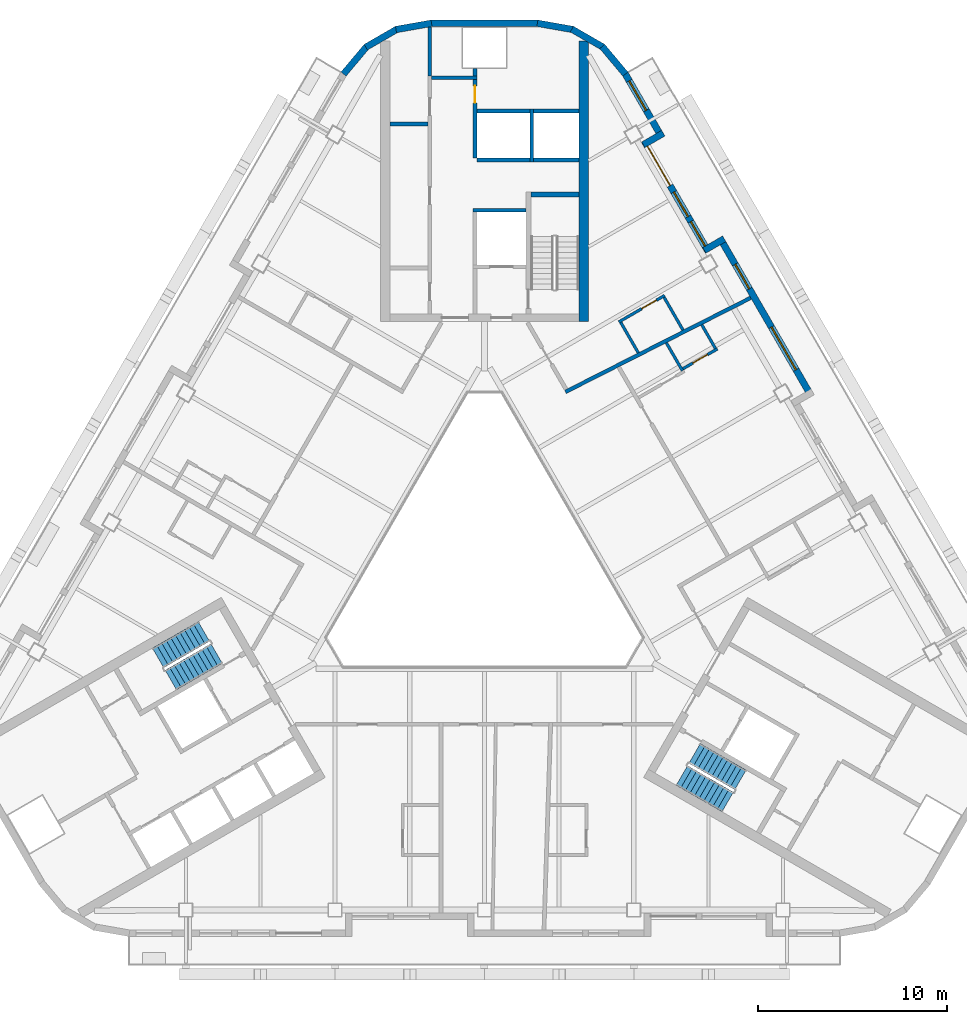
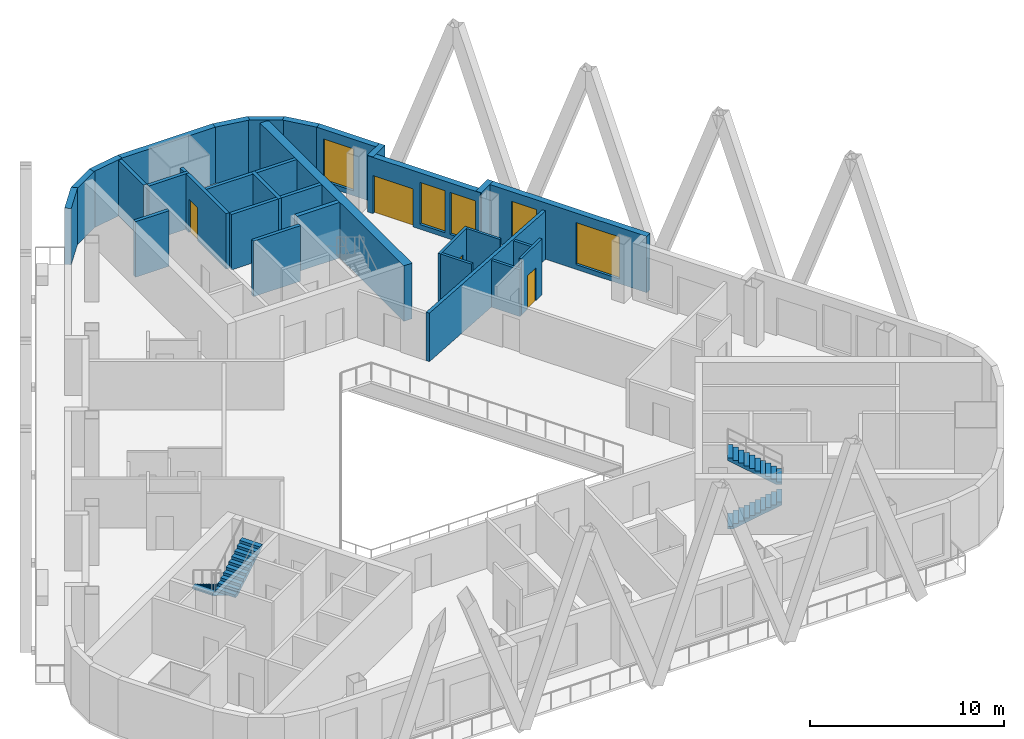
# One storey, part 7 of 14: 32 walls, 5 windows, 4 doors, 4 stair flights, 9 openings, 2 elements without a shape of their own.
"""IFC4 building model written with IfcOpenShell, lengths in metres."""

from ifc_helpers import new_model, si_unit, direction, frame, frame_2d, origin, place, context, subcontext, project, spatial, polyline, rectangle, outline, extrude, material, layer, layer_set, type_object, element, fill, aggregate, save


model = new_model("IFC4")

# Units and contexts
model_context = context("Model", 3, precision=1e-05, world=origin(), true_north=direction((0.0, 1.0)))
body_context = subcontext(model_context, "Body", "Model", "MODEL_VIEW")
ifc_project = project(units=[si_unit("LENGTHUNIT", "METRE"), si_unit("AREAUNIT", "SQUARE_METRE"), si_unit("VOLUMEUNIT", "CUBIC_METRE"), si_unit("PLANEANGLEUNIT", "RADIAN"), si_unit("MASSUNIT", "GRAM", prefix="KILO")], contexts=[model_context])

# Site, building, storey
site_placement = place(None, origin())
site = spatial("IfcSite", under=ifc_project, at=site_placement, CompositionType="ELEMENT")
building_placement = place(site_placement, origin())
building = spatial("IfcBuilding", under=site, at=building_placement, Name="Apuvela Tower Hotel", CompositionType="ELEMENT")
storey_placement = place(building_placement, frame((0.0, 0.0, 213.199951171875)))
storey = spatial("IfcBuildingStorey", under=building, at=storey_placement, Name="L52", CompositionType="ELEMENT", Elevation=213.199951171875)

# Walls
ifc_material_1 = material(Name="Concrete C50/60", Category="concrete")
ifc_layer_1 = layer(ifc_material_1, 0.5)
ifc_layer_set_1 = layer_set([ifc_layer_1], Name="COR-WALL-CORE-500")
wall_type_1 = type_object("IfcWallType", Name="COR-WALL-CORE-500", PredefinedType="SHEAR", material=ifc_layer_set_1)
wall_1_placement = place(storey_placement, frame((5.25, 12.89990234375, 0.0), z_axis=(0.0, 0.0, 1.0), x_axis=(0.0, 1.0, 0.0)))
element("IfcWall", 1, at=wall_1_placement, inside=storey, type_object=wall_type_1, Name="Core wall N", PredefinedType="SHEAR", context=body_context, shape_type="SweptSolid", body=[
    extrude(rectangle(XDim=14.8369140625, YDim=0.5, at=frame_2d((7.41845703125, 0.0))), origin(), (0.0, 0.0, 1.0), 3.5),
])
ifc_material_2 = material(Name="Blockwork 200 mm plastered", Category="masonry")
ifc_layer_2 = layer(ifc_material_2, 0.199951171875)
ifc_layer_set_2 = layer_set([ifc_layer_2], Name="COR-WALL-PART-200")
wall_type_2 = type_object("IfcWallType", Name="COR-WALL-PART-200", PredefinedType="PARTITIONING", material=ifc_layer_set_2)
wall_2_placement = place(storey_placement, frame((5.0, 21.449951171875, 0.0), z_axis=(0.0, 0.0, 1.0), x_axis=(-1.0, 0.0, 0.0)))
element("IfcWall", 2, at=wall_2_placement, inside=storey, type_object=wall_type_2, Name="Partition N", PredefinedType="PARTITIONING", context=body_context, shape_type="SweptSolid", body=[
    extrude(rectangle(XDim=2.39990234375, YDim=0.199951171875, at=frame_2d((1.199951171875, 0.0))), origin(), (0.0, 0.0, 1.0), 3.5),
])
wall_3_placement = place(storey_placement, frame((2.39990234375, 21.449951171875, 0.0), z_axis=(0.0, 0.0, 1.0), x_axis=(-1.0, 0.0, 0.0)))
element("IfcWall", 3, at=wall_3_placement, inside=storey, type_object=wall_type_2, Name="Partition N", PredefinedType="PARTITIONING", context=body_context, shape_type="SweptSolid", body=[
    extrude(rectangle(XDim=2.7998046875, YDim=0.199951171875, at=frame_2d((1.39990234375, 0.0))), origin(), (0.0, 0.0, 1.0), 3.5),
])
ifc_layer_3 = layer(ifc_material_1, 0.199951171875)
ifc_layer_set_3 = layer_set([ifc_layer_3], Name="COR-WALL-SHAFT-200")
wall_type_3 = type_object("IfcWallType", Name="COR-WALL-SHAFT-200", PredefinedType="SHEAR", material=ifc_layer_set_3)
wall_4_placement = place(storey_placement, frame((2.199951171875, 18.800048828125, 0.0), z_axis=(0.0, 0.0, 1.0), x_axis=(-1.0, 0.0, 0.0)))
element("IfcWall", 4, at=wall_4_placement, inside=storey, type_object=wall_type_3, Name="Shaft wall N", PredefinedType="SHEAR", context=body_context, shape_type="SweptSolid", body=[
    extrude(rectangle(XDim=2.800048828125, YDim=0.199951171875, at=frame_2d((1.39990234375, 0.0))), origin(), (0.0, 0.0, 1.0), 3.5),
])
wall_5_placement = place(storey_placement, frame((-0.39990234375, 25.800048828125, 0.0), z_axis=(0.0, 0.0, 1.0), x_axis=(-1.0, 0.0, 0.0)))
element("IfcWall", 5, at=wall_5_placement, inside=storey, type_object=wall_type_3, Name="Shaft wall N", PredefinedType="SHEAR", context=body_context, shape_type="SweptSolid", body=[
    extrude(rectangle(XDim=2.400146484375, YDim=0.199951171875, at=frame_2d((1.2001953125, 0.0))), origin(), (0.0, 0.0, 1.0), 3.5),
])

# Wall, opening, door
wall_6_placement = place(storey_placement, frame((-0.5, 21.550048828125, 0.0), z_axis=(0.0, 0.0, 1.0), x_axis=(0.0, 1.0, 0.0)))
wall_6 = element("IfcWall", 6, at=wall_6_placement, inside=storey, type_object=wall_type_3, Name="Shaft wall N", PredefinedType="SHEAR", context=body_context, shape_type="SweptSolid", body=[
    extrude(rectangle(XDim=4.14990234375, YDim=0.199951171875, at=frame_2d((2.074951171875, 0.0))), origin(), (0.0, 0.0, 1.0), 3.5),
])
opening_1_placement = place(wall_6_placement, frame((2.925048828125, 0.0, 0.0)))
opening_1 = element("IfcOpeningElement", 7, at=opening_1_placement, cuts=wall_6, Name="Opening N-RSP", PredefinedType="OPENING", context=body_context, shape_type="SweptSolid", body=[
    extrude(rectangle(XDim=0.89990234375, YDim=2.10009765625, at=frame_2d((0.449951171875, 1.050048828125))), frame((0.0, 0.10986328125, 0.0), z_axis=(0.0, -1.0, 0.0), x_axis=(1.0, 0.0, 0.0)), (0.0, 0.0, 1.0), 0.219970703125),
])
ifc_material_3 = material(Name="Steel fire door, powder coated", Category="steel")
door_type_1 = type_object("IfcDoorType", Name="COR-DR-900", OperationType="NOTDEFINED", PredefinedType="DOOR", material=ifc_material_3)
door_1_placement = place(opening_1_placement, frame((0.89990234375, 0.0, 0.0), z_axis=(0.0, 0.0, 1.0), x_axis=(-1.0, 0.0, 0.0)))
door_1 = element("IfcDoor", 8, at=door_1_placement, inside=storey, type_object=door_type_1, Name="Store door N-RSP", OperationType="SINGLE_SWING_LEFT", OverallHeight=2.10009765625, OverallWidth=0.89990234375, PredefinedType="DOOR", context=body_context, shape_type="SweptSolid", body=[
    extrude(rectangle(XDim=0.89990234375, YDim=2.10009765625, at=frame_2d((0.449951171875, 1.050048828125))), frame((0.0, 0.02490234375, 0.0), z_axis=(0.0, -1.0, 0.0), x_axis=(1.0, 0.0, 0.0)), (0.0, 0.0, 1.0), 0.050048828125),
])
fill(opening_1, door_1)

# Walls
wall_7_placement = place(storey_placement, frame((-3.0, 23.360107421875, 0.0), z_axis=(0.0, 0.0, 1.0), x_axis=(-1.0, 0.0, 0.0)))
element("IfcWall", 9, at=wall_7_placement, inside=storey, type_object=wall_type_3, Name="Shaft wall N", PredefinedType="SHEAR", context=body_context, shape_type="SweptSolid", body=[
    extrude(rectangle(XDim=2.0, YDim=0.199951171875, at=frame_2d((1.0, 0.0))), origin(), (0.0, 0.0, 1.0), 3.5),
])
wall_8_placement = place(storey_placement, frame((-0.5, 25.89990234375, 0.0), z_axis=(0.0, 0.0, 1.0), x_axis=(0.0, 1.0, 0.0)))
element("IfcWall", 10, at=wall_8_placement, inside=storey, type_object=wall_type_3, Name="Shaft wall N", PredefinedType="SHEAR", context=body_context, shape_type="SweptSolid", body=[
    extrude(rectangle(XDim=0.400146484375, YDim=0.199951171875, at=frame_2d((0.2001953125, 0.0))), origin(), (0.0, 0.0, 1.0), 3.5),
])
wall_9_placement = place(storey_placement, frame((-2.89990234375, 25.89990234375, 0.0), z_axis=(0.0, 0.0, 1.0), x_axis=(0.0, 1.0, 0.0)))
element("IfcWall", 11, at=wall_9_placement, inside=storey, type_object=wall_type_3, Name="Shaft wall N", PredefinedType="SHEAR", context=body_context, shape_type="SweptSolid", body=[
    extrude(rectangle(XDim=2.60009765625, YDim=0.199951171875, at=frame_2d((1.300048828125, 0.0))), origin(), (0.0, 0.0, 1.0), 3.5),
])
wall_10_placement = place(storey_placement, frame((2.5, 21.35009765625, 0.0), z_axis=(0.0, 0.0, 1.0), x_axis=(0.0, 1.0, 0.0)))
element("IfcWall", 12, at=wall_10_placement, inside=storey, type_object=wall_type_3, Name="Shaft wall N", PredefinedType="SHEAR", context=body_context, shape_type="SweptSolid", body=[
    extrude(rectangle(XDim=2.7998046875, YDim=0.199951171875, at=frame_2d((1.39990234375, 0.0))), origin(), (0.0, 0.0, 1.0), 3.5),
])
wall_11_placement = place(storey_placement, frame((5.0, 24.050048828125, 0.0), z_axis=(0.0, 0.0, 1.0), x_axis=(-1.0, 0.0, 0.0)))
element("IfcWall", 13, at=wall_11_placement, inside=storey, type_object=wall_type_3, Name="Shaft wall N", PredefinedType="SHEAR", context=body_context, shape_type="SweptSolid", body=[
    extrude(rectangle(XDim=2.39990234375, YDim=0.199951171875, at=frame_2d((1.199951171875, 0.0))), origin(), (0.0, 0.0, 1.0), 3.5),
])
wall_12_placement = place(storey_placement, frame((2.39990234375, 24.050048828125, 0.0), z_axis=(0.0, 0.0, 1.0), x_axis=(-1.0, 0.0, 0.0)))
element("IfcWall", 14, at=wall_12_placement, inside=storey, type_object=wall_type_3, Name="Shaft wall N", PredefinedType="SHEAR", context=body_context, shape_type="SweptSolid", body=[
    extrude(rectangle(XDim=2.7998046875, YDim=0.199951171875, at=frame_2d((1.39990234375, 0.0))), origin(), (0.0, 0.0, 1.0), 3.5),
])
ifc_layer_4 = layer(ifc_material_1, 0.25)
ifc_layer_set_4 = layer_set([ifc_layer_4], Name="COR-WALL-STAIR-250")
wall_type_4 = type_object("IfcWallType", Name="COR-WALL-STAIR-250", PredefinedType="SHEAR", material=ifc_layer_set_4)
wall_13_placement = place(storey_placement, frame((5.0, 19.625, 0.0), z_axis=(0.0, 0.0, 1.0), x_axis=(-1.0, 0.0, 0.0)))
element("IfcWall", 15, at=wall_13_placement, inside=storey, type_object=wall_type_4, Name="Stair wall N", PredefinedType="SHEAR", context=body_context, shape_type="SweptSolid", body=[
    extrude(rectangle(XDim=2.550048828125, YDim=0.25, at=frame_2d((1.27490234375, 0.0))), origin(), (0.0, 0.0, 1.0), 3.5),
])

# Wall, openings, windows
ifc_material_4 = material(Name="Concrete C40/50, dark pigmented precast panel", Category="concrete")
ifc_layer_5 = layer(ifc_material_4, 0.35009765625)
ifc_layer_set_5 = layer_set([ifc_layer_5], Name="ENV-WALL-350")
wall_type_5 = type_object("IfcWallType", Name="ENV-WALL-350", PredefinedType="SOLIDWALL", material=ifc_layer_set_5)
wall_14_placement = place(storey_placement, frame((17.298583984375, 8.947998046875, 0.0), z_axis=(0.0, 0.0, 1.0), x_axis=(-0.500010041276, 0.866019606374, 0.0)))
wall_14 = element("IfcWall", 16, at=wall_14_placement, inside=storey, type_object=wall_type_5, Name="External wall L52-37", PredefinedType="SOLIDWALL", context=body_context, shape_type="SweptSolid", body=[
    extrude(rectangle(XDim=9.699951171875, YDim=0.35009765625, at=frame_2d((4.85009765625, 0.0))), origin(), (0.0, 0.0, 1.0), 3.550048828125),
])
opening_2_placement = place(wall_14_placement, frame((1.625, 0.0, 0.300048828125)))
opening_2 = element("IfcOpeningElement", 17, at=opening_2_placement, cuts=wall_14, Name="Opening WN26", PredefinedType="OPENING", context=body_context, shape_type="SweptSolid", body=[
    extrude(rectangle(XDim=2.60009765625, YDim=2.64990234375, at=frame_2d((1.300048828125, 1.324951171875))), frame((0.0, 0.18505859375, 0.0), z_axis=(0.0, -1.0, 0.0), x_axis=(1.0, 0.0, 0.0)), (0.0, 0.0, 1.0), 0.3701171875),
])
opening_3_placement = place(wall_14_placement, frame((6.56982421875, 0.0, 0.300048828125)))
opening_3 = element("IfcOpeningElement", 18, at=opening_3_placement, cuts=wall_14, Name="Opening WN15", PredefinedType="OPENING", context=body_context, shape_type="SweptSolid", body=[
    extrude(rectangle(XDim=1.5, YDim=2.64990234375, at=frame_2d((0.75, 1.324951171875))), frame((0.0, 0.18505859375, 0.0), z_axis=(0.0, -1.0, 0.0), x_axis=(1.0, 0.0, 0.0)), (0.0, 0.0, 1.0), 0.3701171875),
])
ifc_material_5 = material(Name="Glass, dark tinted laminated insulated glazing unit", Category="glass")
window_type_1 = type_object("IfcWindowType", Name="ENV-WIN-1500x2650", PartitioningType="SINGLE_PANEL", PredefinedType="WINDOW", material=ifc_material_5)
window_1_placement = place(opening_3_placement, origin())
window_1 = element("IfcWindow", 19, at=window_1_placement, inside=storey, type_object=window_type_1, Name="Window WN15", OverallHeight=2.64990234375, OverallWidth=1.5, PartitioningType="SINGLE_PANEL", PredefinedType="WINDOW", context=body_context, shape_type="SweptSolid", body=[
    extrude(rectangle(XDim=1.5, YDim=2.64990234375, at=frame_2d((0.75, 1.324951171875))), frame((0.0, 0.030029296875, 0.0), z_axis=(0.0, -1.0, 0.0), x_axis=(1.0, 0.0, 0.0)), (0.0, 0.0, 1.0), 0.06005859375),
])
fill(opening_3, window_1)
window_type_2 = type_object("IfcWindowType", Name="ENV-WIN-2600x2650", PartitioningType="SINGLE_PANEL", PredefinedType="WINDOW", material=ifc_material_5)
window_2_placement = place(opening_2_placement, origin())
window_2 = element("IfcWindow", 20, at=window_2_placement, inside=storey, type_object=window_type_2, Name="Window WN26", OverallHeight=2.64990234375, OverallWidth=2.60009765625, PartitioningType="SINGLE_PANEL", PredefinedType="WINDOW", context=body_context, shape_type="SweptSolid", body=[
    extrude(rectangle(XDim=2.60009765625, YDim=2.64990234375, at=frame_2d((1.300048828125, 1.324951171875))), frame((0.0, 0.030029296875, 0.0), z_axis=(0.0, -1.0, 0.0), x_axis=(1.0, 0.0, 0.0)), (0.0, 0.0, 1.0), 0.06005859375),
])
fill(opening_2, window_2)

# Wall
wall_15_placement = place(storey_placement, frame((12.6875, 17.284423828125, 0.0), z_axis=(0.0, 0.0, 1.0), x_axis=(-0.865955602162, -0.500120880472, 0.0)))
element("IfcWall", 21, at=wall_15_placement, inside=storey, type_object=wall_type_5, Name="External wall L52-38", PredefinedType="SOLIDWALL", context=body_context, shape_type="SweptSolid", body=[
    extrude(rectangle(XDim=1.219970703125, YDim=0.35009765625, at=frame_2d((0.60986328125, 0.0))), origin(), (0.0, 0.0, 1.0), 3.550048828125),
])

# Wall, openings, door, windows
wall_16_placement = place(storey_placement, frame((11.8291015625, 16.621337890625, 0.0), z_axis=(0.0, 0.0, 1.0), x_axis=(-0.500003597184, 0.866023326939, 0.0)))
wall_16 = element("IfcWall", 22, at=wall_16_placement, inside=storey, type_object=wall_type_5, Name="External wall L52-39", PredefinedType="SOLIDWALL", context=body_context, shape_type="SweptSolid", body=[
    extrude(rectangle(XDim=6.740234375, YDim=0.35009765625, at=frame_2d((3.3701171875, 0.0))), origin(), (0.0, 0.0, 1.0), 3.550048828125),
])
opening_4_placement = place(wall_16_placement, frame((4.01953125, 0.0, 0.0)))
opening_4 = element("IfcOpeningElement", 23, at=opening_4_placement, cuts=wall_16, Name="Opening BD24", PredefinedType="OPENING", context=body_context, shape_type="SweptSolid", body=[
    extrude(rectangle(XDim=2.39990234375, YDim=2.39990234375, at=frame_2d((1.199951171875, 1.199951171875))), frame((0.0, 0.18505859375, 0.0), z_axis=(0.0, -1.0, 0.0), x_axis=(1.0, 0.0, 0.0)), (0.0, 0.0, 1.0), 0.3701171875),
])
opening_5_placement = place(wall_16_placement, frame((0.320068359375, 0.0, 0.300048828125)))
opening_5 = element("IfcOpeningElement", 24, at=opening_5_placement, cuts=wall_16, Name="Opening WN15", PredefinedType="OPENING", context=body_context, shape_type="SweptSolid", body=[
    extrude(rectangle(XDim=1.5, YDim=2.64990234375, at=frame_2d((0.75, 1.324951171875))), frame((0.0, 0.18505859375, 0.0), z_axis=(0.0, -1.0, 0.0), x_axis=(1.0, 0.0, 0.0)), (0.0, 0.0, 1.0), 0.3701171875),
])
opening_6_placement = place(wall_16_placement, frame((2.1201171875, 0.0, 0.300048828125)))
opening_6 = element("IfcOpeningElement", 25, at=opening_6_placement, cuts=wall_16, Name="Opening WN15", PredefinedType="OPENING", context=body_context, shape_type="SweptSolid", body=[
    extrude(rectangle(XDim=1.5, YDim=2.64990234375, at=frame_2d((0.75, 1.324951171875))), frame((0.0, 0.18505859375, 0.0), z_axis=(0.0, -1.0, 0.0), x_axis=(1.0, 0.0, 0.0)), (0.0, 0.0, 1.0), 0.3701171875),
])
ifc_material_6 = material(Name="Aluminium 6063-T6, dark bronze anodised frame with dark tinted laminated glass", Category="aluminium")
door_type_2 = type_object("IfcDoorType", Name="ENV-DOOR-BALCONY-2400x2400", OperationType="SLIDING_TO_LEFT", PredefinedType="DOOR", material=ifc_material_6)
door_2_placement = place(opening_4_placement, frame((2.39990234375, 0.0, 0.0), z_axis=(0.0, 0.0, 1.0), x_axis=(-1.0, 0.0, 0.0)))
door_2 = element("IfcDoor", 26, at=door_2_placement, inside=storey, type_object=door_type_2, Name="Balcony door BD24", OperationType="SLIDING_TO_LEFT", OverallHeight=2.39990234375, OverallWidth=2.39990234375, PredefinedType="DOOR", context=body_context, shape_type="SweptSolid", body=[
    extrude(rectangle(XDim=2.39990234375, YDim=2.39990234375, at=frame_2d((1.199951171875, 1.199951171875))), frame((0.0, 0.02490234375, 0.0), z_axis=(0.0, -1.0, 0.0), x_axis=(1.0, 0.0, 0.0)), (0.0, 0.0, 1.0), 0.050048828125),
])
fill(opening_4, door_2)
window_3_placement = place(opening_5_placement, origin())
window_3 = element("IfcWindow", 27, at=window_3_placement, inside=storey, type_object=window_type_1, Name="Window WN15", OverallHeight=2.64990234375, OverallWidth=1.5, PartitioningType="SINGLE_PANEL", PredefinedType="WINDOW", context=body_context, shape_type="SweptSolid", body=[
    extrude(rectangle(XDim=1.5, YDim=2.64990234375, at=frame_2d((0.75, 1.324951171875))), frame((0.0, 0.030029296875, 0.0), z_axis=(0.0, -1.0, 0.0), x_axis=(1.0, 0.0, 0.0)), (0.0, 0.0, 1.0), 0.06005859375),
])
fill(opening_5, window_3)
window_4_placement = place(opening_6_placement, origin())
window_4 = element("IfcWindow", 28, at=window_4_placement, inside=storey, type_object=window_type_1, Name="Window WN15", OverallHeight=2.64990234375, OverallWidth=1.5, PartitioningType="SINGLE_PANEL", PredefinedType="WINDOW", context=body_context, shape_type="SweptSolid", body=[
    extrude(rectangle(XDim=1.5, YDim=2.64990234375, at=frame_2d((0.75, 1.324951171875))), frame((0.0, 0.030029296875, 0.0), z_axis=(0.0, -1.0, 0.0), x_axis=(1.0, 0.0, 0.0)), (0.0, 0.0, 1.0), 0.06005859375),
])
fill(opening_6, window_4)

# Wall
wall_17_placement = place(storey_placement, frame((8.406005859375, 22.26025390625, 0.0), z_axis=(0.0, 0.0, 1.0), x_axis=(0.865955602162, 0.500120880472, 0.0)))
element("IfcWall", 29, at=wall_17_placement, inside=storey, type_object=wall_type_5, Name="External wall L52-40", PredefinedType="SOLIDWALL", context=body_context, shape_type="SweptSolid", body=[
    extrude(rectangle(XDim=1.219970703125, YDim=0.35009765625, at=frame_2d((0.60986328125, 0.0))), origin(), (0.0, 0.0, 1.0), 3.550048828125),
])

# Wall, opening, window
wall_18_placement = place(storey_placement, frame((9.3984375, 22.631103515625, 0.0), z_axis=(0.0, 0.0, 1.0), x_axis=(-0.499954521343, 0.866051659307, 0.0)))
wall_18 = element("IfcWall", 30, at=wall_18_placement, inside=storey, type_object=wall_type_5, Name="External wall L52-41", PredefinedType="SOLIDWALL", context=body_context, shape_type="SweptSolid", body=[
    extrude(rectangle(XDim=3.915771484375, YDim=0.35009765625, at=frame_2d((1.9580078125, 0.0))), origin(), (0.0, 0.0, 1.0), 3.550048828125),
])
opening_7_placement = place(wall_18_placement, frame((1.67626953125, 0.0, 0.300048828125)))
opening_7 = element("IfcOpeningElement", 31, at=opening_7_placement, cuts=wall_18, Name="Opening WN18", PredefinedType="OPENING", context=body_context, shape_type="SweptSolid", body=[
    extrude(rectangle(XDim=1.800048828125, YDim=2.64990234375, at=frame_2d((0.89990234375, 1.324951171875))), frame((0.0, 0.18505859375, 0.0), z_axis=(0.0, -1.0, 0.0), x_axis=(1.0, 0.0, 0.0)), (0.0, 0.0, 1.0), 0.3701171875),
])
window_type_3 = type_object("IfcWindowType", Name="ENV-WIN-1800x2650", PartitioningType="SINGLE_PANEL", PredefinedType="WINDOW", material=ifc_material_5)
window_5_placement = place(opening_7_placement, origin())
window_5 = element("IfcWindow", 32, at=window_5_placement, inside=storey, type_object=window_type_3, Name="Window WN18", OverallHeight=2.64990234375, OverallWidth=1.800048828125, PartitioningType="SINGLE_PANEL", PredefinedType="WINDOW", context=body_context, shape_type="SweptSolid", body=[
    extrude(rectangle(XDim=1.800048828125, YDim=2.64990234375, at=frame_2d((0.89990234375, 1.324951171875))), frame((0.0, 0.030029296875, 0.0), z_axis=(0.0, -1.0, 0.0), x_axis=(1.0, 0.0, 0.0)), (0.0, 0.0, 1.0), 0.06005859375),
])
fill(opening_7, window_5)

# Walls
wall_19_placement = place(storey_placement, frame((7.4580078125, 25.99755859375, 0.0), z_axis=(0.0, 0.0, 1.0), x_axis=(-0.642808304945, 0.766027077259, 0.0)))
element("IfcWall", 33, at=wall_19_placement, inside=storey, type_object=wall_type_5, Name="External wall L52-42", PredefinedType="SOLIDWALL", context=body_context, shape_type="SweptSolid", body=[
    extrude(rectangle(XDim=1.909912109375, YDim=0.35009765625, at=frame_2d((0.955078125, 0.0))), origin(), (0.0, 0.0, 1.0), 3.550048828125),
])
for number, where, z_axis, x_axis, name in (
    (34, (6.27685546875, 27.421630859375, 0.0), (0.0, 0.0, 1.0), (-0.866032345022, 0.499987977232, 0.0), "External wall L52-43"),
    (35, (4.6796875, 28.35595703125, 0.0), (0.0, 0.0, 1.0), (-0.984798995425, 0.173697837091, 0.0), "External wall L52-44"),
):
    element("IfcWall", number, at=place(storey_placement, frame(where, z_axis=z_axis, x_axis=x_axis)), inside=storey, type_object=wall_type_5, Name=name, PredefinedType="SOLIDWALL", context=body_context, shape_type="SweptSolid", body=[
        extrude(rectangle(XDim=1.91015625, YDim=0.35009765625, at=frame_2d((0.955078125, 0.0))), origin(), (0.0, 0.0, 1.0), 3.550048828125),
    ])
wall_20_placement = place(storey_placement, frame((2.8291015625, 28.68505859375, 0.0), z_axis=(0.0, 0.0, 1.0), x_axis=(-1.0, 0.0, 0.0)))
element("IfcWall", 36, at=wall_20_placement, inside=storey, type_object=wall_type_5, Name="External wall L52-45", PredefinedType="SOLIDWALL", context=body_context, shape_type="SweptSolid", body=[
    extrude(rectangle(XDim=5.658203125, YDim=0.35009765625, at=frame_2d((2.8291015625, 0.0))), origin(), (0.0, 0.0, 1.0), 3.550048828125),
])
for number, where, z_axis, x_axis, name in (
    (37, (-2.798583984375, 28.687744140625, 0.0), (0.0, 0.0, 1.0), (-0.984798995425, -0.173697837091, 0.0), "External wall L52-46"),
    (38, (-4.62255859375, 28.376708984375, 0.0), (0.0, 0.0, 1.0), (-0.866032345022, -0.499987977232, 0.0), "External wall L52-47"),
):
    element("IfcWall", number, at=place(storey_placement, frame(where, z_axis=z_axis, x_axis=x_axis)), inside=storey, type_object=wall_type_5, Name=name, PredefinedType="SOLIDWALL", context=body_context, shape_type="SweptSolid", body=[
        extrude(rectangle(XDim=1.91015625, YDim=0.35009765625, at=frame_2d((0.955078125, 0.0))), origin(), (0.0, 0.0, 1.0), 3.550048828125),
    ])
wall_21_placement = place(storey_placement, frame((-6.230224609375, 27.460693359375, 0.0), z_axis=(0.0, 0.0, 1.0), x_axis=(-0.642808304945, -0.766027077259, 0.0)))
element("IfcWall", 39, at=wall_21_placement, inside=storey, type_object=wall_type_5, Name="External wall L52-48", PredefinedType="SOLIDWALL", context=body_context, shape_type="SweptSolid", body=[
    extrude(rectangle(XDim=1.909912109375, YDim=0.35009765625, at=frame_2d((0.955078125, 0.0))), origin(), (0.0, 0.0, 1.0), 3.550048828125),
])
ifc_material_7 = material(Name="Gypsum board partition on twin steel stud", Category="steel")
ifc_layer_6 = layer(ifc_material_7, 0.199951171875)
ifc_layer_set_6 = layer_set([ifc_layer_6], Name="GST-PW1")
wall_type_6 = type_object("IfcWallType", Name="GST-PW1", PredefinedType="PARTITIONING", material=ifc_layer_set_6)
wall_22_placement = place(storey_placement, frame((14.0869140625, 14.16064453125, 0.0), z_axis=(0.0, 0.0, 1.0), x_axis=(-0.891639053189, -0.452746947895, 0.0)))
element("IfcWall", 40, at=wall_22_placement, inside=storey, type_object=wall_type_6, Name="L52 partition 04", PredefinedType="PARTITIONING", context=body_context, shape_type="SweptSolid", body=[
    extrude(rectangle(XDim=10.99560546875, YDim=0.199951171875, at=frame_2d((5.497802734375, 0.0))), origin(), (0.0, 0.0, 1.0), 3.06005859375),
])
ifc_material_8 = material(Name="Moisture-resistant gypsum board wet wall on steel stud", Category="steel")
ifc_layer_7 = layer(ifc_material_8, 0.14990234375)
ifc_layer_set_7 = layer_set([ifc_layer_7], Name="GST-PW3")
wall_type_7 = type_object("IfcWallType", Name="GST-PW3", PredefinedType="PARTITIONING", material=ifc_layer_set_7)
wall_23_placement = place(storey_placement, frame((10.47509765625, 10.306884765625, 0.0), z_axis=(0.0, 0.0, 1.0), x_axis=(-0.500069835465, 0.865985080505, 0.0)))
element("IfcWall", 41, at=wall_23_placement, inside=storey, type_object=wall_type_7, Name="L52 partition 24", PredefinedType="PARTITIONING", context=body_context, shape_type="SweptSolid", body=[
    extrude(rectangle(XDim=1.703369140625, YDim=0.14990234375, at=frame_2d((0.8515625, 0.0))), origin(), (0.0, 0.0, 1.0), 2.949951171875),
])

# Wall, opening, door
wall_24_placement = place(storey_placement, frame((10.502685546875, 10.40869140625, 0.0), z_axis=(0.0, 0.0, 1.0), x_axis=(0.866009402589, 0.500027713859, 0.0)))
wall_24 = element("IfcWall", 42, at=wall_24_placement, inside=storey, type_object=wall_type_7, Name="L52 partition 25", PredefinedType="PARTITIONING", context=body_context, shape_type="SweptSolid", body=[
    extrude(rectangle(XDim=2.10009765625, YDim=0.14990234375, at=frame_2d((1.050048828125, 0.0))), origin(), (0.0, 0.0, 1.0), 3.550048828125),
])
opening_8_placement = place(wall_24_placement, frame((0.60009765625, 0.0, 0.0)))
opening_8 = element("IfcOpeningElement", 43, at=opening_8_placement, cuts=wall_24, Name="Opening GD20-10", PredefinedType="OPENING", context=body_context, shape_type="SweptSolid", body=[
    extrude(rectangle(XDim=0.89990234375, YDim=2.10009765625, at=frame_2d((0.449951171875, 1.050048828125))), frame((0.0, 0.0849609375, 0.0), z_axis=(0.0, -1.0, 0.0), x_axis=(1.0, 0.0, 0.0)), (0.0, 0.0, 1.0), 0.169921875),
])
ifc_material_9 = material(Name="Timber door leaf in steel frame", Category="steel")
door_type_3 = type_object("IfcDoorType", Name="GST-D2", OperationType="NOTDEFINED", PredefinedType="DOOR", material=ifc_material_9)
door_3_placement = place(opening_8_placement, origin())
door_3 = element("IfcDoor", 44, at=door_3_placement, inside=storey, type_object=door_type_3, Name="Door L52-10", OperationType="SINGLE_SWING_RIGHT", OverallHeight=2.10009765625, OverallWidth=0.89990234375, PredefinedType="DOOR", context=body_context, shape_type="SweptSolid", body=[
    extrude(rectangle(XDim=0.89990234375, YDim=2.10009765625, at=frame_2d((0.449951171875, 1.050048828125))), frame((0.0, 0.02490234375, 0.0), z_axis=(0.0, -1.0, 0.0), x_axis=(1.0, 0.0, 0.0)), (0.0, 0.0, 1.0), 0.050048828125),
])
fill(opening_8, door_3)

# Wall
wall_25_placement = place(storey_placement, frame((12.218994140625, 11.486083984375, 0.0), z_axis=(0.0, 0.0, 1.0), x_axis=(-0.500074377092, 0.865982457891, 0.0)))
element("IfcWall", 45, at=wall_25_placement, inside=storey, type_object=wall_type_7, Name="L52 partition 26", PredefinedType="PARTITIONING", context=body_context, shape_type="SweptSolid", body=[
    extrude(rectangle(XDim=1.441162109375, YDim=0.14990234375, at=frame_2d((0.720703125, 0.0))), origin(), (0.0, 0.0, 1.0), 2.949951171875),
])

# Wall, opening, door
wall_26_placement = place(storey_placement, frame((9.534423828125, 14.28564453125, 0.0), z_axis=(0.0, 0.0, 1.0), x_axis=(-0.866034573852, -0.49998411664, 0.0)))
wall_26 = element("IfcWall", 46, at=wall_26_placement, inside=storey, type_object=wall_type_7, Name="L52 partition 28", PredefinedType="PARTITIONING", context=body_context, shape_type="SweptSolid", body=[
    extrude(rectangle(XDim=2.7998046875, YDim=0.14990234375, at=frame_2d((1.39990234375, 0.0))), origin(), (0.0, 0.0, 1.0), 3.550048828125),
])
opening_9_placement = place(wall_26_placement, frame((0.5, 0.0, 0.0)))
opening_9 = element("IfcOpeningElement", 47, at=opening_9_placement, cuts=wall_26, Name="Opening GD20-12", PredefinedType="OPENING", context=body_context, shape_type="SweptSolid", body=[
    extrude(rectangle(XDim=0.89990234375, YDim=2.10009765625, at=frame_2d((0.449951171875, 1.050048828125))), frame((0.0, 0.0849609375, 0.0), z_axis=(0.0, -1.0, 0.0), x_axis=(1.0, 0.0, 0.0)), (0.0, 0.0, 1.0), 0.169921875),
])
door_4_placement = place(opening_9_placement, origin())
door_4 = element("IfcDoor", 48, at=door_4_placement, inside=storey, type_object=door_type_3, Name="Door L52-12", OperationType="SINGLE_SWING_LEFT", OverallHeight=2.10009765625, OverallWidth=0.89990234375, PredefinedType="DOOR", context=body_context, shape_type="SweptSolid", body=[
    extrude(rectangle(XDim=0.89990234375, YDim=2.10009765625, at=frame_2d((0.449951171875, 1.050048828125))), frame((0.0, 0.02490234375, 0.0), z_axis=(0.0, -1.0, 0.0), x_axis=(1.0, 0.0, 0.0)), (0.0, 0.0, 1.0), 0.050048828125),
])
fill(opening_9, door_4)

# Walls
wall_27_placement = place(storey_placement, frame((10.50537109375, 12.4541015625, 0.0), z_axis=(0.0, 0.0, 1.0), x_axis=(-0.499965889992, 0.866045096311, 0.0)))
element("IfcWall", 49, at=wall_27_placement, inside=storey, type_object=wall_type_7, Name="L52 partition 29", PredefinedType="PARTITIONING", context=body_context, shape_type="SweptSolid", body=[
    extrude(rectangle(XDim=1.996826171875, YDim=0.14990234375, at=frame_2d((0.99853515625, 0.0))), origin(), (0.0, 0.0, 1.0), 3.550048828125),
])
wall_28_placement = place(storey_placement, frame((8.13916015625, 11.252685546875, 0.0), z_axis=(0.0, 0.0, 1.0), x_axis=(-0.4999770169, 0.866038672677, 0.0)))
element("IfcWall", 50, at=wall_28_placement, inside=storey, type_object=wall_type_7, Name="L52 partition 30", PredefinedType="PARTITIONING", context=body_context, shape_type="SweptSolid", body=[
    extrude(rectangle(XDim=1.85400390625, YDim=0.14990234375, at=frame_2d((0.927001953125, 0.0))), origin(), (0.0, 0.0, 1.0), 3.550048828125),
])

# Stair, stair flights
stair_type = type_object("IfcStairType", Name="COR-STAIR-22R", PredefinedType="HALF_TURN_STAIR", material=ifc_material_1)
stair_1_placement = place(storey_placement, origin())
stair_1 = element("IfcStair", 51, at=stair_1_placement, inside=storey, type_object=stair_type, Name="L52 Exit stair ST2", PredefinedType="HALF_TURN_STAIR")
stair_flight_type = type_object("IfcStairFlightType", Name="COR-FLIGHT-11R", PredefinedType="STRAIGHT", material=ifc_material_1)
stair_flight_1_placement = place(storey_placement, frame((-14.843994140625, -3.489501953125, 0.0), z_axis=(0.0, 0.0, 1.0), x_axis=(-0.866025403784, -0.5, 0.0)))
stair_flight_1 = element("IfcStairFlight", 52, at=stair_flight_1_placement, type_object=stair_flight_type, Name="ST2 flight 1", NumberOfRisers=11, NumberOfTreads=10, PredefinedType="STRAIGHT", RiserHeight=0.168181818, TreadLength=0.28, context=body_context, shape_type="SweptSolid", body=[
    extrude(outline(polyline([(0.0, 0.0), (0.0, 0.168212890625), (0.280029296875, 0.168212890625), (0.280029296875, 0.33642578125), (0.56005859375, 0.33642578125), (0.56005859375, 0.504638671875), (0.840087890625, 0.504638671875), (0.840087890625, 0.672607421875), (1.1201171875, 0.672607421875), (1.1201171875, 0.8408203125), (1.39990234375, 0.8408203125), (1.39990234375, 1.009033203125), (1.679931640625, 1.009033203125), (1.679931640625, 1.17724609375), (1.9599609375, 1.17724609375), (1.9599609375, 1.345458984375), (2.239990234375, 1.345458984375), (2.239990234375, 1.513671875), (2.52001953125, 1.513671875), (2.52001953125, 1.681884765625), (2.800048828125, 1.681884765625), (2.800048828125, 1.85009765625), (2.800048828125, 1.5068359375), (0.291015625, 0.0), (0.0, 0.0)])), frame((0.0, 0.60009765625, 0.0), z_axis=(0.0, -1.0, 0.0), x_axis=(1.0, 0.0, 0.0)), (0.0, 0.0, 1.0), 1.199951171875),
])
stair_flight_2_placement = place(storey_placement, frame((-16.59375, -6.05859375, 1.85009765625), z_axis=(0.0, 0.0, 1.0), x_axis=(0.866025403784, 0.5, 0.0)))
stair_flight_2 = element("IfcStairFlight", 53, at=stair_flight_2_placement, type_object=stair_flight_type, Name="ST2 flight 2", NumberOfRisers=11, NumberOfTreads=10, PredefinedType="STRAIGHT", RiserHeight=0.168181818, TreadLength=0.28, context=body_context, shape_type="SweptSolid", body=[
    extrude(outline(polyline([(0.0, 0.0), (0.0, 0.168212890625), (0.280029296875, 0.168212890625), (0.280029296875, 0.33642578125), (0.56005859375, 0.33642578125), (0.56005859375, 0.504638671875), (0.840087890625, 0.504638671875), (0.840087890625, 0.672607421875), (1.1201171875, 0.672607421875), (1.1201171875, 0.8408203125), (1.39990234375, 0.8408203125), (1.39990234375, 1.009033203125), (1.679931640625, 1.009033203125), (1.679931640625, 1.17724609375), (1.9599609375, 1.17724609375), (1.9599609375, 1.345458984375), (2.239990234375, 1.345458984375), (2.239990234375, 1.513671875), (2.52001953125, 1.513671875), (2.52001953125, 1.681884765625), (2.800048828125, 1.681884765625), (2.800048828125, 1.85009765625), (2.800048828125, 1.5068359375), (0.291015625, 0.0), (0.0, 0.0)])), frame((0.0, 0.60009765625, 0.0), z_axis=(0.0, -1.0, 0.0), x_axis=(1.0, 0.0, 0.0)), (0.0, 0.0, 1.0), 1.199951171875),
])
aggregate(stair_1, [stair_flight_1, stair_flight_2])

stair_2_placement = place(storey_placement, origin())
stair_2 = element("IfcStair", 54, at=stair_2_placement, inside=storey, type_object=stair_type, Name="L52 Exit stair ST3", PredefinedType="HALF_TURN_STAIR")
stair_flight_3_placement = place(storey_placement, frame((10.444091796875, -11.110595703125, 0.0), z_axis=(0.0, 0.0, 1.0), x_axis=(0.866025403784, -0.5, 0.0)))
stair_flight_3 = element("IfcStairFlight", 55, at=stair_flight_3_placement, type_object=stair_flight_type, Name="ST3 flight 1", NumberOfRisers=11, NumberOfTreads=10, PredefinedType="STRAIGHT", RiserHeight=0.168181818, TreadLength=0.28, context=body_context, shape_type="SweptSolid", body=[
    extrude(outline(polyline([(0.0, 0.0), (0.0, 0.168212890625), (0.280029296875, 0.168212890625), (0.280029296875, 0.33642578125), (0.56005859375, 0.33642578125), (0.56005859375, 0.504638671875), (0.840087890625, 0.504638671875), (0.840087890625, 0.672607421875), (1.1201171875, 0.672607421875), (1.1201171875, 0.8408203125), (1.39990234375, 0.8408203125), (1.39990234375, 1.009033203125), (1.679931640625, 1.009033203125), (1.679931640625, 1.17724609375), (1.9599609375, 1.17724609375), (1.9599609375, 1.345458984375), (2.239990234375, 1.345458984375), (2.239990234375, 1.513671875), (2.52001953125, 1.513671875), (2.52001953125, 1.681884765625), (2.800048828125, 1.681884765625), (2.800048828125, 1.85009765625), (2.800048828125, 1.5068359375), (0.291015625, 0.0), (0.0, 0.0)])), frame((0.0, 0.60009765625, 0.0), z_axis=(0.0, -1.0, 0.0), x_axis=(1.0, 0.0, 0.0)), (0.0, 0.0, 1.0), 1.199951171875),
])
stair_flight_4_placement = place(storey_placement, frame((13.5439453125, -11.34130859375, 1.85009765625), z_axis=(0.0, 0.0, 1.0), x_axis=(-0.866025403784, 0.5, 0.0)))
stair_flight_4 = element("IfcStairFlight", 56, at=stair_flight_4_placement, type_object=stair_flight_type, Name="ST3 flight 2", NumberOfRisers=11, NumberOfTreads=10, PredefinedType="STRAIGHT", RiserHeight=0.168181818, TreadLength=0.28, context=body_context, shape_type="SweptSolid", body=[
    extrude(outline(polyline([(0.0, 0.0), (0.0, 0.168212890625), (0.280029296875, 0.168212890625), (0.280029296875, 0.33642578125), (0.56005859375, 0.33642578125), (0.56005859375, 0.504638671875), (0.840087890625, 0.504638671875), (0.840087890625, 0.672607421875), (1.1201171875, 0.672607421875), (1.1201171875, 0.8408203125), (1.39990234375, 0.8408203125), (1.39990234375, 1.009033203125), (1.679931640625, 1.009033203125), (1.679931640625, 1.17724609375), (1.9599609375, 1.17724609375), (1.9599609375, 1.345458984375), (2.239990234375, 1.345458984375), (2.239990234375, 1.513671875), (2.52001953125, 1.513671875), (2.52001953125, 1.681884765625), (2.800048828125, 1.681884765625), (2.800048828125, 1.85009765625), (2.800048828125, 1.5068359375), (0.291015625, 0.0), (0.0, 0.0)])), frame((0.0, 0.60009765625, 0.0), z_axis=(0.0, -1.0, 0.0), x_axis=(1.0, 0.0, 0.0)), (0.0, 0.0, 1.0), 1.199951171875),
])
aggregate(stair_2, [stair_flight_3, stair_flight_4])

save(model, "model.ifc")
